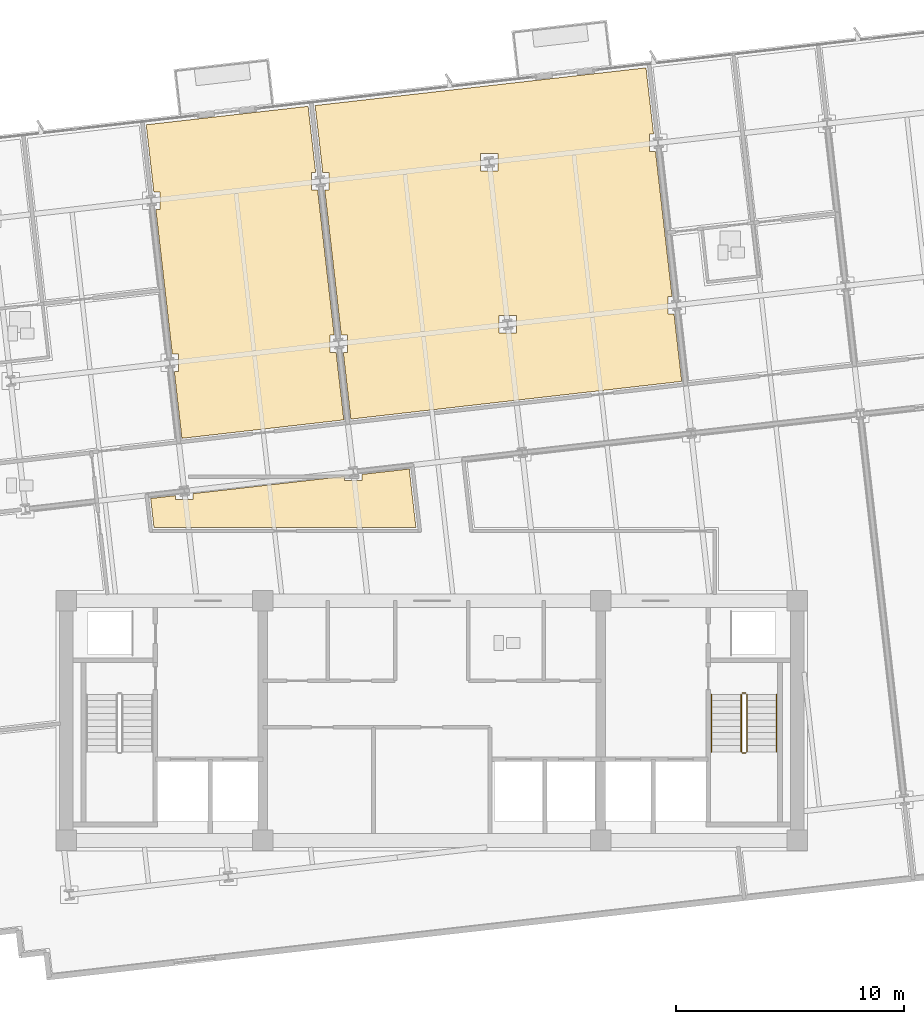
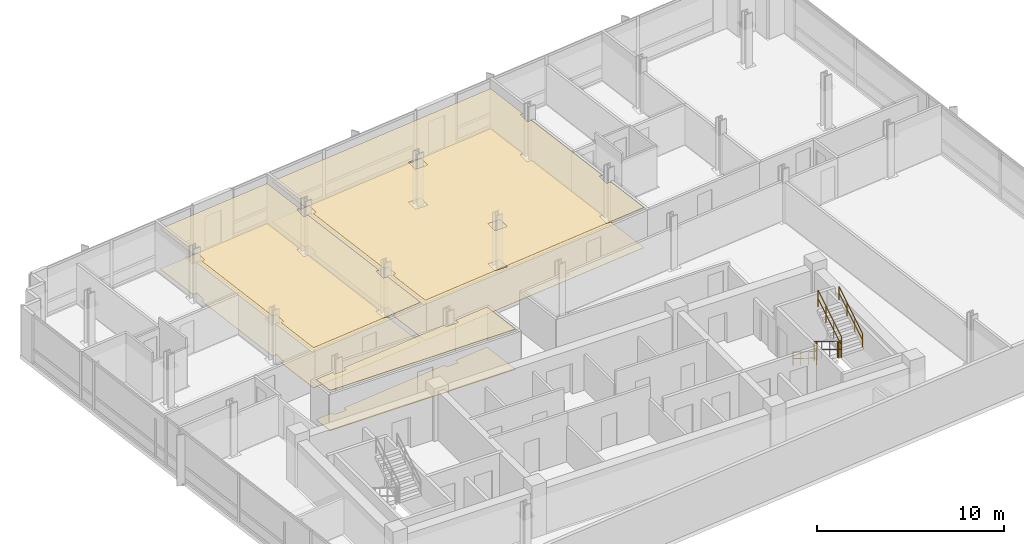
# One storey, part 13 of 15: 6 coverings, 6 railings.
"""IFC4 building model written with IfcOpenShell, lengths in metres."""

from ifc_helpers import new_model, si_unit, direction, frame, origin, origin_2d, place, context, subcontext, project, spatial, polyline, circle, outline, extrude, material, layer, layer_set, type_object, element, save


model = new_model("IFC4")

# Units and contexts
model_context = context("Model", 3, precision=1e-05, world=origin(), true_north=direction((0.0, 1.0)))
body_context = subcontext(model_context, "Body", "Model", "MODEL_VIEW")
ifc_project = project(units=[si_unit("LENGTHUNIT", "METRE"), si_unit("AREAUNIT", "SQUARE_METRE"), si_unit("VOLUMEUNIT", "CUBIC_METRE"), si_unit("PLANEANGLEUNIT", "RADIAN"), si_unit("MASSUNIT", "GRAM", prefix="KILO")], contexts=[model_context])

# Site, building, storey
site_placement = place(None, origin())
site = spatial("IfcSite", under=ifc_project, at=site_placement, CompositionType="ELEMENT")
building_placement = place(site_placement, origin())
building = spatial("IfcBuilding", under=site, at=building_placement, Name="Solmavex Isthmus Hotel", CompositionType="ELEMENT")
storey_placement = place(building_placement, frame((0.0, 0.0, 229.64990234375)))
storey = spatial("IfcBuildingStorey", under=building, at=storey_placement, Name="L62", CompositionType="ELEMENT", Elevation=229.64990234375)

# Coverings
ifc_material_1 = material(Name="Gypsum plasterboard lining", Category="gypsum")
ifc_layer_1 = layer(ifc_material_1, 0.030029296875)
ifc_layer_set_1 = layer_set([ifc_layer_1], Name="Gypsum plasterboard lining")
covering_type_1 = type_object("IfcCoveringType", Name="COV-CEIL-GYP", PredefinedType="CEILING", material=ifc_layer_set_1)
covering_1_placement = place(storey_placement, frame((0.0, 0.0, 2.6201171875)))
element("IfcCovering", 1, at=covering_1_placement, inside=storey, type_object=covering_type_1, Name="Suspended Acoustic Ceiling L62-RM02", PredefinedType="CEILING", context=body_context, shape_type="SweptSolid", body=[
    extrude(outline(polyline([(-11.360595703125, 8.29248046875), (-11.09326171875, 8.29248046875), (-11.09326171875, 7.532470703125), (-11.274169921875, 7.532470703125), (-10.94091796875, 4.6083984375), (-3.850830078125, 5.416259765625), (-4.18798828125, 8.375244140625), (-4.455322265625, 8.375244140625), (-4.455322265625, 9.13525390625), (-4.2744140625, 9.13525390625), (-4.99755859375, 15.481201171875), (-5.264892578125, 15.481201171875), (-5.264892578125, 16.2412109375), (-5.084228515625, 16.2412109375), (-5.415283203125, 19.1474609375), (-12.50537109375, 18.339599609375), (-12.17041015625, 15.3984375), (-11.903076171875, 15.3984375), (-11.903076171875, 14.638427734375), (-12.083740234375, 14.638427734375), (-11.763916015625, 11.832275390625), (-11.360595703125, 8.29248046875)])), origin(), (0.0, 0.0, 1.0), 0.030029296875),
])
covering_2_placement = place(storey_placement, frame((0.0, 0.0, 2.6201171875)))
element("IfcCovering", 2, at=covering_2_placement, inside=storey, type_object=covering_type_1, Name="Suspended Acoustic Ceiling L62-RM03", PredefinedType="CEILING", context=body_context, shape_type="SweptSolid", body=[
    extrude(outline(polyline([(-3.962646484375, 9.13525390625), (-3.6953125, 9.13525390625), (-3.6953125, 8.375244140625), (-3.8759765625, 8.375244140625), (-3.542724609375, 5.451416015625), (10.945556640625, 7.10205078125), (10.6083984375, 10.06103515625), (10.341064453125, 10.06103515625), (10.341064453125, 10.821044921875), (10.521728515625, 10.821044921875), (9.798583984375, 17.167236328125), (9.531494140625, 17.167236328125), (9.531494140625, 17.92724609375), (9.712158203125, 17.92724609375), (9.381103515625, 20.833251953125), (-5.107177734375, 19.182373046875), (-4.772216796875, 16.2412109375), (-4.5048828125, 16.2412109375), (-4.5048828125, 15.481201171875), (-4.685546875, 15.481201171875), (-3.962646484375, 9.13525390625)]), holes=[polyline([(2.94287109375, 9.21826171875), (2.94287109375, 9.978271484375), (3.702880859375, 9.978271484375), (3.702880859375, 9.21826171875), (2.94287109375, 9.21826171875)]), polyline([(2.13330078125, 16.32421875), (2.13330078125, 17.084228515625), (2.893310546875, 17.084228515625), (2.893310546875, 16.32421875), (2.13330078125, 16.32421875)])]), origin(), (0.0, 0.0, 1.0), 0.030029296875),
])
covering_3_placement = place(storey_placement, frame((0.0, 0.0, 2.6201171875)))
element("IfcCovering", 3, at=covering_3_placement, inside=storey, type_object=covering_type_1, Name="Suspended Acoustic Ceiling L62-FL08", PredefinedType="CEILING", context=body_context, shape_type="SweptSolid", body=[
    extrude(outline(polyline([(-10.4541015625, 2.18798828125), (-10.4541015625, 1.920654296875), (-11.214111328125, 1.920654296875), (-11.214111328125, 2.101318359375), (-12.309814453125, 1.9765625), (-12.1650390625, 0.705078125), (-0.694091796875, 0.705078125), (-0.986083984375, 3.2666015625), (-3.055908203125, 3.03076171875), (-3.055908203125, 2.763671875), (-3.81591796875, 2.763671875), (-3.81591796875, 2.9443359375), (-10.4541015625, 2.18798828125)])), origin(), (0.0, 0.0, 1.0), 0.030029296875),
])
ifc_material_2 = material(Name="Travertine natural stone", Category="masonry")
ifc_layer_2 = layer(ifc_material_2, 0.02490234375)
ifc_layer_set_2 = layer_set([ifc_layer_2], Name="Travertine natural stone")
covering_type_2 = type_object("IfcCoveringType", Name="COV-FLOR-STN", PredefinedType="FLOORING", material=ifc_layer_set_2)
covering_4_placement = place(storey_placement, origin())
element("IfcCovering", 4, at=covering_4_placement, inside=storey, type_object=covering_type_2, Name="Stone and Timber Floor Finish L62-RM02", PredefinedType="FLOORING", context=body_context, shape_type="SweptSolid", body=[
    extrude(outline(polyline([(-11.360595703125, 8.29248046875), (-11.09326171875, 8.29248046875), (-11.09326171875, 7.532470703125), (-11.274169921875, 7.532470703125), (-10.94091796875, 4.6083984375), (-3.850830078125, 5.416259765625), (-4.18798828125, 8.375244140625), (-4.455322265625, 8.375244140625), (-4.455322265625, 9.13525390625), (-4.2744140625, 9.13525390625), (-4.99755859375, 15.481201171875), (-5.264892578125, 15.481201171875), (-5.264892578125, 16.2412109375), (-5.084228515625, 16.2412109375), (-5.415283203125, 19.1474609375), (-12.50537109375, 18.339599609375), (-12.17041015625, 15.3984375), (-11.903076171875, 15.3984375), (-11.903076171875, 14.638427734375), (-12.083740234375, 14.638427734375), (-11.763916015625, 11.832275390625), (-11.360595703125, 8.29248046875)])), origin(), (0.0, 0.0, 1.0), 0.025146484375),
])
covering_5_placement = place(storey_placement, origin())
element("IfcCovering", 5, at=covering_5_placement, inside=storey, type_object=covering_type_2, Name="Stone and Timber Floor Finish L62-RM03", PredefinedType="FLOORING", context=body_context, shape_type="SweptSolid", body=[
    extrude(outline(polyline([(-3.962646484375, 9.13525390625), (-3.6953125, 9.13525390625), (-3.6953125, 8.375244140625), (-3.8759765625, 8.375244140625), (-3.542724609375, 5.451416015625), (10.945556640625, 7.10205078125), (10.6083984375, 10.06103515625), (10.341064453125, 10.06103515625), (10.341064453125, 10.821044921875), (10.521728515625, 10.821044921875), (9.798583984375, 17.167236328125), (9.531494140625, 17.167236328125), (9.531494140625, 17.92724609375), (9.712158203125, 17.92724609375), (9.381103515625, 20.833251953125), (-5.107177734375, 19.182373046875), (-4.772216796875, 16.2412109375), (-4.5048828125, 16.2412109375), (-4.5048828125, 15.481201171875), (-4.685546875, 15.481201171875), (-3.962646484375, 9.13525390625)]), holes=[polyline([(2.94287109375, 9.21826171875), (2.94287109375, 9.978271484375), (3.702880859375, 9.978271484375), (3.702880859375, 9.21826171875), (2.94287109375, 9.21826171875)]), polyline([(2.13330078125, 16.32421875), (2.13330078125, 17.084228515625), (2.893310546875, 17.084228515625), (2.893310546875, 16.32421875), (2.13330078125, 16.32421875)])]), origin(), (0.0, 0.0, 1.0), 0.025146484375),
])
covering_6_placement = place(storey_placement, origin())
element("IfcCovering", 6, at=covering_6_placement, inside=storey, type_object=covering_type_2, Name="Stone and Timber Floor Finish L62-FL08", PredefinedType="FLOORING", context=body_context, shape_type="SweptSolid", body=[
    extrude(outline(polyline([(-10.4541015625, 2.18798828125), (-10.4541015625, 1.920654296875), (-11.214111328125, 1.920654296875), (-11.214111328125, 2.101318359375), (-12.309814453125, 1.9765625), (-12.1650390625, 0.705078125), (-0.694091796875, 0.705078125), (-0.986083984375, 3.2666015625), (-3.055908203125, 3.03076171875), (-3.055908203125, 2.763671875), (-3.81591796875, 2.763671875), (-3.81591796875, 2.9443359375), (-10.4541015625, 2.18798828125)])), origin(), (0.0, 0.0, 1.0), 0.025146484375),
])

# Railings
ifc_material_3 = material(Name="Stainless steel 316", Category="steel")
ifc_layer_3 = layer(ifc_material_3, 0.06005859375)
ifc_layer_set_3 = layer_set([ifc_layer_3], Name="Stainless steel 316")
railing_type_1 = type_object("IfcRailingType", Name="RAIL-STAIR-GD", PredefinedType="GUARDRAIL", material=ifc_layer_set_3)
railing_1_placement = place(storey_placement, frame((13.550048828125, -6.60009765625, 0.172607421875)))
element("IfcRailing", 7, at=railing_1_placement, inside=storey, type_object=railing_type_1, Name="L62 ST-2 stair guard 1", PredefinedType="GUARDRAIL", context=body_context, shape_type="SweptSolid", body=[
    extrude(circle(Radius=0.02392578125, at=origin_2d()), frame((0.0, 0.0, 1.09619140625), z_axis=(0.0, -0.851400495292, 0.524516154772), x_axis=(1.0, 0.0, 0.0)), (0.0, 0.0, 1.0), 2.9599609375),
    extrude(circle(Radius=0.02392578125, at=origin_2d()), frame((0.0, 0.0, 0.56005859375), z_axis=(0.0, -0.851400495292, 0.524516154772), x_axis=(1.0, 0.0, 0.0)), (0.0, 0.0, 1.0), 2.9599609375),
    extrude(circle(Radius=0.02099609375, at=origin_2d()), origin(), (0.0, 0.0, 1.0), 1.072021484375),
    extrude(circle(Radius=0.02099609375, at=origin_2d()), frame((0.0, -0.840087890625, 0.517578125)), (0.0, 0.0, 1.0), 1.072021484375),
    extrude(circle(Radius=0.02099609375, at=origin_2d()), frame((0.0, -1.679931640625, 1.034912109375)), (0.0, 0.0, 1.0), 1.072021484375),
    extrude(circle(Radius=0.02099609375, at=origin_2d()), frame((0.0, -2.52001953125, 1.552490234375)), (0.0, 0.0, 1.0), 1.072021484375),
])
railing_2_placement = place(storey_placement, frame((13.60009765625, -9.169921875, 1.72509765625)))
element("IfcRailing", 8, at=railing_2_placement, inside=storey, type_object=railing_type_1, Name="L62 ST-2 stair guard 2", PredefinedType="GUARDRAIL", context=body_context, shape_type="SweptSolid", body=[
    extrude(circle(Radius=0.02392578125, at=origin_2d()), frame((0.0, 0.0, 1.09619140625), z_axis=(1.0, 0.0, 0.0), x_axis=(0.0, 1.0, 0.0)), (0.0, 0.0, 1.0), 0.14990234375),
    extrude(circle(Radius=0.02392578125, at=origin_2d()), frame((0.0, 0.0, 0.56005859375), z_axis=(1.0, 0.0, 0.0), x_axis=(0.0, 1.0, 0.0)), (0.0, 0.0, 1.0), 0.14990234375),
    extrude(circle(Radius=0.02099609375, at=origin_2d()), origin(), (0.0, 0.0, 1.0), 1.072021484375),
    extrude(circle(Radius=0.02099609375, at=origin_2d()), frame((0.14990234375, 0.0, 0.0)), (0.0, 0.0, 1.0), 1.072021484375),
])
railing_3_placement = place(storey_placement, frame((13.800048828125, -9.1201171875, 1.897705078125)))
element("IfcRailing", 9, at=railing_3_placement, inside=storey, type_object=railing_type_1, Name="L62 ST-2 stair guard 3", PredefinedType="GUARDRAIL", context=body_context, shape_type="SweptSolid", body=[
    extrude(circle(Radius=0.02392578125, at=origin_2d()), frame((0.0, 0.0, 1.09619140625), z_axis=(0.0, 0.851400495292, 0.524516154772), x_axis=(-1.0, 0.0, 0.0)), (0.0, 0.0, 1.0), 2.9599609375),
    extrude(circle(Radius=0.02392578125, at=origin_2d()), frame((0.0, 0.0, 0.56005859375), z_axis=(0.0, 0.851400495292, 0.524516154772), x_axis=(-1.0, 0.0, 0.0)), (0.0, 0.0, 1.0), 2.9599609375),
    extrude(circle(Radius=0.02099609375, at=origin_2d()), origin(), (0.0, 0.0, 1.0), 1.072021484375),
    extrude(circle(Radius=0.02099609375, at=origin_2d()), frame((0.0, 0.840087890625, 0.517578125)), (0.0, 0.0, 1.0), 1.072021484375),
    extrude(circle(Radius=0.02099609375, at=origin_2d()), frame((0.0, 1.679931640625, 1.034912109375)), (0.0, 0.0, 1.0), 1.072021484375),
    extrude(circle(Radius=0.02099609375, at=origin_2d()), frame((0.0, 2.52001953125, 1.552490234375)), (0.0, 0.0, 1.0), 1.072021484375),
])
railing_4_placement = place(storey_placement, frame((13.60009765625, -6.550048828125, 0.0)))
element("IfcRailing", 10, at=railing_4_placement, inside=storey, type_object=railing_type_1, Name="L62 ST-2 stair guard 4", PredefinedType="GUARDRAIL", context=body_context, shape_type="SweptSolid", body=[
    extrude(circle(Radius=0.02392578125, at=origin_2d()), frame((0.0, 0.0, 1.09619140625), z_axis=(1.0, 0.0, 0.0), x_axis=(0.0, 1.0, 0.0)), (0.0, 0.0, 1.0), 0.14990234375),
    extrude(circle(Radius=0.02392578125, at=origin_2d()), frame((0.0, 0.0, 0.56005859375), z_axis=(1.0, 0.0, 0.0), x_axis=(0.0, 1.0, 0.0)), (0.0, 0.0, 1.0), 0.14990234375),
    extrude(circle(Radius=0.02099609375, at=origin_2d()), origin(), (0.0, 0.0, 1.0), 1.072021484375),
    extrude(circle(Radius=0.02099609375, at=origin_2d()), frame((0.14990234375, 0.0, 0.0)), (0.0, 0.0, 1.0), 1.072021484375),
])
ifc_layer_4 = layer(ifc_material_3, 0.050048828125)
ifc_layer_set_4 = layer_set([ifc_layer_4], Name="Stainless steel 316")
railing_type_2 = type_object("IfcRailingType", Name="RAIL-STAIR-HR", PredefinedType="HANDRAIL", material=ifc_layer_set_4)
railing_5_placement = place(storey_placement, frame((12.25, -6.60009765625, 0.172607421875)))
element("IfcRailing", 11, at=railing_5_placement, inside=storey, type_object=railing_type_2, Name="L62 ST-2 stair handrail 1", PredefinedType="HANDRAIL", context=body_context, shape_type="SweptSolid", body=[
    extrude(circle(Radius=0.02392578125, at=origin_2d()), frame((0.0, 0.0, 0.8759765625), z_axis=(0.0, -0.851400495292, 0.524516154772), x_axis=(1.0, 0.0, 0.0)), (0.0, 0.0, 1.0), 2.9599609375),
    extrude(circle(Radius=0.02392578125, at=origin_2d()), frame((0.0, 0.0, 0.449951171875), z_axis=(0.0, -0.851400495292, 0.524516154772), x_axis=(1.0, 0.0, 0.0)), (0.0, 0.0, 1.0), 2.9599609375),
    extrude(circle(Radius=0.02099609375, at=origin_2d()), origin(), (0.0, 0.0, 1.0), 0.851806640625),
    extrude(circle(Radius=0.02099609375, at=origin_2d()), frame((0.0, -0.840087890625, 0.517578125)), (0.0, 0.0, 1.0), 0.851806640625),
    extrude(circle(Radius=0.02099609375, at=origin_2d()), frame((0.0, -1.679931640625, 1.034912109375)), (0.0, 0.0, 1.0), 0.851806640625),
    extrude(circle(Radius=0.02099609375, at=origin_2d()), frame((0.0, -2.52001953125, 1.552490234375)), (0.0, 0.0, 1.0), 0.851806640625),
])
railing_6_placement = place(storey_placement, frame((15.10009765625, -9.1201171875, 1.897705078125)))
element("IfcRailing", 12, at=railing_6_placement, inside=storey, type_object=railing_type_2, Name="L62 ST-2 stair handrail 2", PredefinedType="HANDRAIL", context=body_context, shape_type="SweptSolid", body=[
    extrude(circle(Radius=0.02392578125, at=origin_2d()), frame((0.0, 0.0, 0.8759765625), z_axis=(0.0, 0.851400495292, 0.524516154772), x_axis=(-1.0, 0.0, 0.0)), (0.0, 0.0, 1.0), 2.9599609375),
    extrude(circle(Radius=0.02392578125, at=origin_2d()), frame((0.0, 0.0, 0.449951171875), z_axis=(0.0, 0.851400495292, 0.524516154772), x_axis=(-1.0, 0.0, 0.0)), (0.0, 0.0, 1.0), 2.9599609375),
    extrude(circle(Radius=0.02099609375, at=origin_2d()), origin(), (0.0, 0.0, 1.0), 0.851806640625),
    extrude(circle(Radius=0.02099609375, at=origin_2d()), frame((0.0, 0.840087890625, 0.517578125)), (0.0, 0.0, 1.0), 0.851806640625),
    extrude(circle(Radius=0.02099609375, at=origin_2d()), frame((0.0, 1.679931640625, 1.034912109375)), (0.0, 0.0, 1.0), 0.851806640625),
    extrude(circle(Radius=0.02099609375, at=origin_2d()), frame((0.0, 2.52001953125, 1.552490234375)), (0.0, 0.0, 1.0), 0.851806640625),
])

save(model, "model.ifc")
